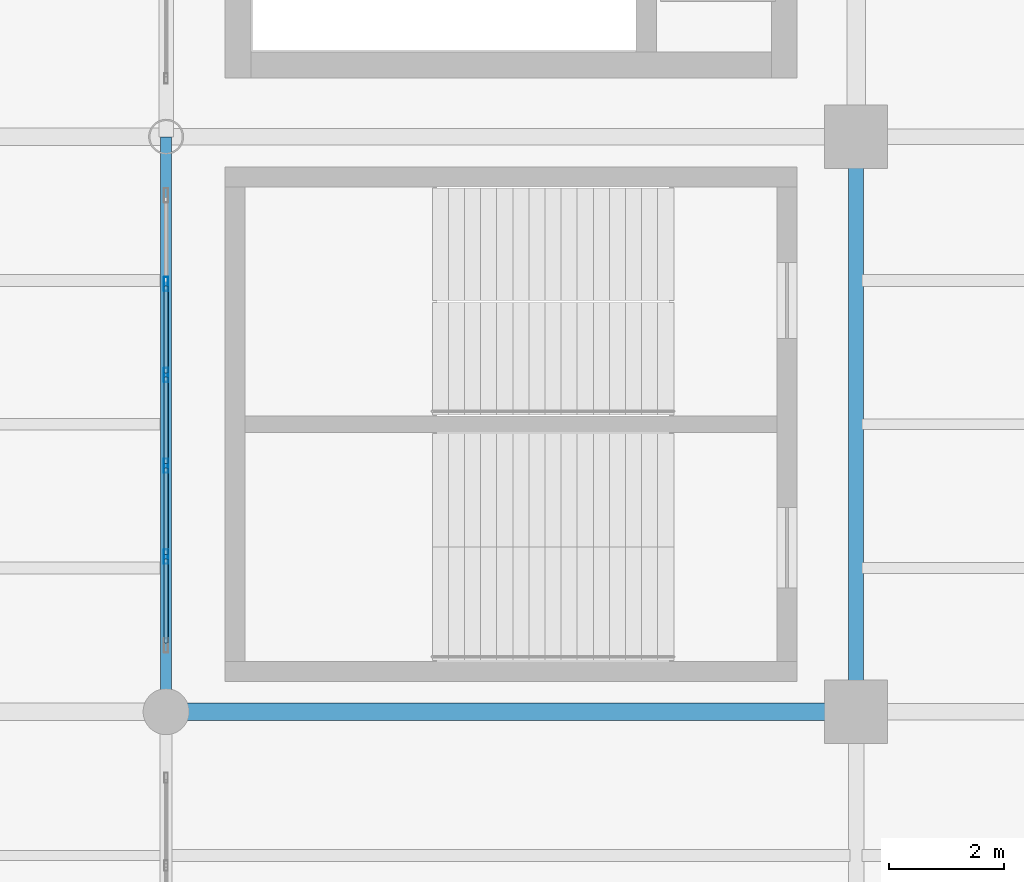
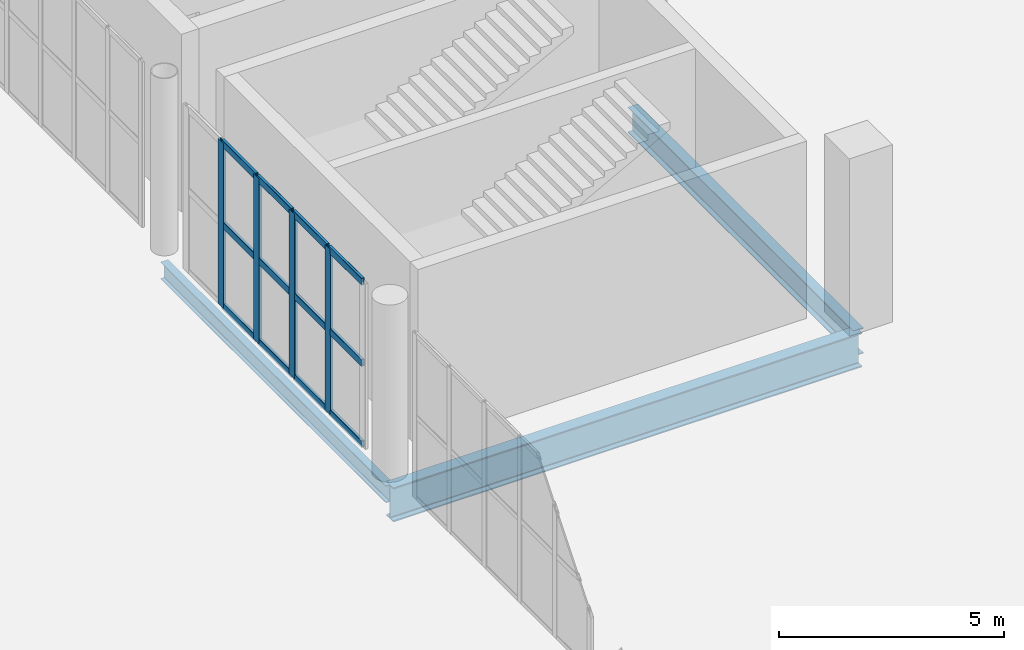
# One storey, part 46 of 136: 16 members, 3 beams, 1 element without a shape of its own.
"""IFC4 building model written with IfcOpenShell, lengths in metres."""

from ifc_helpers import new_model, si_unit, direction, frame, origin, origin_2d, place, context, subcontext, project, spatial, hollow_rectangle, i_section, extrude, material, layer, layer_set, material_profile, profile_set, type_object, element, aggregate, save


model = new_model("IFC4")

# Units and contexts
model_context = context("Model", 3, precision=1e-05, world=origin(), true_north=direction((0.0, 1.0)))
body_context = subcontext(model_context, "Body", "Model", "MODEL_VIEW")
ifc_project = project(units=[si_unit("LENGTHUNIT", "METRE"), si_unit("AREAUNIT", "SQUARE_METRE"), si_unit("VOLUMEUNIT", "CUBIC_METRE"), si_unit("PLANEANGLEUNIT", "RADIAN"), si_unit("MASSUNIT", "GRAM", prefix="KILO")], contexts=[model_context])

# Site, building, storey
site_placement = place(None, origin())
site = spatial("IfcSite", under=ifc_project, at=site_placement, CompositionType="ELEMENT")
building_placement = place(site_placement, origin())
building = spatial("IfcBuilding", under=site, at=building_placement, Name="Brinegate Civic Arena", CompositionType="ELEMENT")
storey_placement = place(building_placement, frame((0.0, 0.0, 5.39990234375)))
storey = spatial("IfcBuildingStorey", under=building, at=storey_placement, Name="L01", CompositionType="ELEMENT", Elevation=5.39990234375)

# Curtain wall, members
ifc_material_1 = material(Name="Marine grade aluminium", Category="aluminium")
ifc_layer = layer(ifc_material_1, 0.199951171875, Name="Marine grade aluminium")
ifc_layer_set = layer_set([ifc_layer], Name="Marine grade aluminium")
curtain_wall_type = type_object("IfcCurtainWallType", Name="CW-BOWL-GLAZED-01", PredefinedType="USERDEFINED", material=ifc_layer_set)
curtain_wall_placement = place(storey_placement, origin())
curtain_wall = element("IfcCurtainWall", 1, at=curtain_wall_placement, inside=storey, type_object=curtain_wall_type, Name="Curtain Wall CWA-056", ObjectType="GLAZED CURTAIN WALL", PredefinedType="USERDEFINED")
ifc_material_profile_1 = material_profile(ifc_material_1, hollow_rectangle(XDim=0.074951171875, YDim=0.25, WallThickness=0.006103515625, InnerFilletRadius=0.00390625, OuterFilletRadius=0.008056640625, at=origin_2d()), Name="MUL75X250")
ifc_profile_set_1 = profile_set([ifc_material_profile_1], Name="Marine grade aluminium")
member_type_1 = type_object("IfcMemberType", Name="CW-MULLION-75X250", PredefinedType="MULLION", material=ifc_profile_set_1)
member_1_placement = place(storey_placement, frame((48.0, 74.696533203125, 0.0), z_axis=(0.0, 0.0, 1.0), x_axis=(-1.0, 0.0, 0.0)))
member_1 = element("IfcMember", 2, at=member_1_placement, type_object=member_type_1, Name="CWA-056 mullion 2", PredefinedType="MULLION", context=body_context, shape_type="SweptSolid", body=[
    extrude(hollow_rectangle(XDim=0.074951171875, YDim=0.25, WallThickness=0.006103515625, InnerFilletRadius=0.00390625, OuterFilletRadius=0.008056640625, at=origin_2d()), origin(), (0.0, 0.0, 1.0), 4.47021484375),
])
member_2_placement = place(storey_placement, frame((48.0, 76.277099609375, 0.0), z_axis=(0.0, 0.0, 1.0), x_axis=(-1.0, 0.0, 0.0)))
member_2 = element("IfcMember", 3, at=member_2_placement, type_object=member_type_1, Name="CWA-056 mullion 3", PredefinedType="MULLION", context=body_context, shape_type="SweptSolid", body=[
    extrude(hollow_rectangle(XDim=0.074951171875, YDim=0.25, WallThickness=0.006103515625, InnerFilletRadius=0.00390625, OuterFilletRadius=0.008056640625, at=origin_2d()), origin(), (0.0, 0.0, 1.0), 4.47021484375),
])
member_3_placement = place(storey_placement, frame((48.0, 77.85791015625, 0.0), z_axis=(0.0, 0.0, 1.0), x_axis=(-1.0, 0.0, 0.0)))
member_3 = element("IfcMember", 4, at=member_3_placement, type_object=member_type_1, Name="CWA-056 mullion 4", PredefinedType="MULLION", context=body_context, shape_type="SweptSolid", body=[
    extrude(hollow_rectangle(XDim=0.074951171875, YDim=0.25, WallThickness=0.006103515625, InnerFilletRadius=0.00390625, OuterFilletRadius=0.008056640625, at=origin_2d()), origin(), (0.0, 0.0, 1.0), 4.47021484375),
])
member_4_placement = place(storey_placement, frame((48.0, 79.4384765625, 0.0), z_axis=(0.0, 0.0, 1.0), x_axis=(-1.0, 0.0, 0.0)))
member_4 = element("IfcMember", 5, at=member_4_placement, type_object=member_type_1, Name="CWA-056 mullion 5", PredefinedType="MULLION", context=body_context, shape_type="SweptSolid", body=[
    extrude(hollow_rectangle(XDim=0.074951171875, YDim=0.25, WallThickness=0.006103515625, InnerFilletRadius=0.00390625, OuterFilletRadius=0.008056640625, at=origin_2d()), origin(), (0.0, 0.0, 1.0), 4.47021484375),
])
ifc_material_profile_2 = material_profile(ifc_material_1, hollow_rectangle(XDim=0.074951171875, YDim=0.18994140625, WallThickness=0.006103515625, InnerFilletRadius=0.00390625, OuterFilletRadius=0.008056640625, at=origin_2d()), Name="TRN75X190")
ifc_profile_set_2 = profile_set([ifc_material_profile_2], Name="Marine grade aluminium")
member_type_2 = type_object("IfcMemberType", Name="CW-TRANSOM-75X190", PredefinedType="USERDEFINED", material=ifc_profile_set_2)
member_5_placement = place(storey_placement, frame((48.0, 73.19091796875, 0.03759765625), z_axis=(0.0, 1.0, 0.0), x_axis=(-1.0, 0.0, 0.0)))
member_5 = element("IfcMember", 6, at=member_5_placement, type_object=member_type_2, Name="CWA-056 transom 1.1", ObjectType="TRANSOM", PredefinedType="USERDEFINED", context=body_context, shape_type="SweptSolid", body=[
    extrude(hollow_rectangle(XDim=0.074951171875, YDim=0.18994140625, WallThickness=0.006103515625, InnerFilletRadius=0.00390625, OuterFilletRadius=0.008056640625, at=origin_2d()), origin(), (0.0, 0.0, 1.0), 1.46826171875),
])
member_6_placement = place(storey_placement, frame((48.0, 73.19091796875, 2.235107421875), z_axis=(0.0, 1.0, 0.0), x_axis=(-1.0, 0.0, 0.0)))
member_6 = element("IfcMember", 7, at=member_6_placement, type_object=member_type_2, Name="CWA-056 transom 1.2", ObjectType="TRANSOM", PredefinedType="USERDEFINED", context=body_context, shape_type="SweptSolid", body=[
    extrude(hollow_rectangle(XDim=0.074951171875, YDim=0.18994140625, WallThickness=0.006103515625, InnerFilletRadius=0.00390625, OuterFilletRadius=0.008056640625, at=origin_2d()), origin(), (0.0, 0.0, 1.0), 1.46826171875),
])
member_7_placement = place(storey_placement, frame((48.0, 73.19091796875, 4.4326171875), z_axis=(0.0, 1.0, 0.0), x_axis=(-1.0, 0.0, 0.0)))
member_7 = element("IfcMember", 8, at=member_7_placement, type_object=member_type_2, Name="CWA-056 transom 1.3", ObjectType="TRANSOM", PredefinedType="USERDEFINED", context=body_context, shape_type="SweptSolid", body=[
    extrude(hollow_rectangle(XDim=0.074951171875, YDim=0.18994140625, WallThickness=0.006103515625, InnerFilletRadius=0.00390625, OuterFilletRadius=0.008056640625, at=origin_2d()), origin(), (0.0, 0.0, 1.0), 1.46826171875),
])
member_8_placement = place(storey_placement, frame((48.0, 74.734130859375, 0.03759765625), z_axis=(0.0, 1.0, 0.0), x_axis=(-1.0, 0.0, 0.0)))
member_8 = element("IfcMember", 9, at=member_8_placement, type_object=member_type_2, Name="CWA-056 transom 2.1", ObjectType="TRANSOM", PredefinedType="USERDEFINED", context=body_context, shape_type="SweptSolid", body=[
    extrude(hollow_rectangle(XDim=0.074951171875, YDim=0.18994140625, WallThickness=0.006103515625, InnerFilletRadius=0.00390625, OuterFilletRadius=0.008056640625, at=origin_2d()), origin(), (0.0, 0.0, 1.0), 1.505615234375),
])
member_9_placement = place(storey_placement, frame((48.0, 74.734130859375, 2.235107421875), z_axis=(0.0, 1.0, 0.0), x_axis=(-1.0, 0.0, 0.0)))
member_9 = element("IfcMember", 10, at=member_9_placement, type_object=member_type_2, Name="CWA-056 transom 2.2", ObjectType="TRANSOM", PredefinedType="USERDEFINED", context=body_context, shape_type="SweptSolid", body=[
    extrude(hollow_rectangle(XDim=0.074951171875, YDim=0.18994140625, WallThickness=0.006103515625, InnerFilletRadius=0.00390625, OuterFilletRadius=0.008056640625, at=origin_2d()), origin(), (0.0, 0.0, 1.0), 1.505615234375),
])
member_10_placement = place(storey_placement, frame((48.0, 74.734130859375, 4.4326171875), z_axis=(0.0, 1.0, 0.0), x_axis=(-1.0, 0.0, 0.0)))
member_10 = element("IfcMember", 11, at=member_10_placement, type_object=member_type_2, Name="CWA-056 transom 2.3", ObjectType="TRANSOM", PredefinedType="USERDEFINED", context=body_context, shape_type="SweptSolid", body=[
    extrude(hollow_rectangle(XDim=0.074951171875, YDim=0.18994140625, WallThickness=0.006103515625, InnerFilletRadius=0.00390625, OuterFilletRadius=0.008056640625, at=origin_2d()), origin(), (0.0, 0.0, 1.0), 1.505615234375),
])
member_11_placement = place(storey_placement, frame((48.0, 76.314697265625, 0.03759765625), z_axis=(0.0, 1.0, 0.0), x_axis=(-1.0, 0.0, 0.0)))
member_11 = element("IfcMember", 12, at=member_11_placement, type_object=member_type_2, Name="CWA-056 transom 3.1", ObjectType="TRANSOM", PredefinedType="USERDEFINED", context=body_context, shape_type="SweptSolid", body=[
    extrude(hollow_rectangle(XDim=0.074951171875, YDim=0.18994140625, WallThickness=0.006103515625, InnerFilletRadius=0.00390625, OuterFilletRadius=0.008056640625, at=origin_2d()), origin(), (0.0, 0.0, 1.0), 1.505615234375),
])
member_12_placement = place(storey_placement, frame((48.0, 76.314697265625, 2.235107421875), z_axis=(0.0, 1.0, 0.0), x_axis=(-1.0, 0.0, 0.0)))
member_12 = element("IfcMember", 13, at=member_12_placement, type_object=member_type_2, Name="CWA-056 transom 3.2", ObjectType="TRANSOM", PredefinedType="USERDEFINED", context=body_context, shape_type="SweptSolid", body=[
    extrude(hollow_rectangle(XDim=0.074951171875, YDim=0.18994140625, WallThickness=0.006103515625, InnerFilletRadius=0.00390625, OuterFilletRadius=0.008056640625, at=origin_2d()), origin(), (0.0, 0.0, 1.0), 1.505615234375),
])
member_13_placement = place(storey_placement, frame((48.0, 76.314697265625, 4.4326171875), z_axis=(0.0, 1.0, 0.0), x_axis=(-1.0, 0.0, 0.0)))
member_13 = element("IfcMember", 14, at=member_13_placement, type_object=member_type_2, Name="CWA-056 transom 3.3", ObjectType="TRANSOM", PredefinedType="USERDEFINED", context=body_context, shape_type="SweptSolid", body=[
    extrude(hollow_rectangle(XDim=0.074951171875, YDim=0.18994140625, WallThickness=0.006103515625, InnerFilletRadius=0.00390625, OuterFilletRadius=0.008056640625, at=origin_2d()), origin(), (0.0, 0.0, 1.0), 1.505615234375),
])
member_14_placement = place(storey_placement, frame((48.0, 77.895263671875, 0.03759765625), z_axis=(0.0, 1.0, 0.0), x_axis=(-1.0, 0.0, 0.0)))
member_14 = element("IfcMember", 15, at=member_14_placement, type_object=member_type_2, Name="CWA-056 transom 4.1", ObjectType="TRANSOM", PredefinedType="USERDEFINED", context=body_context, shape_type="SweptSolid", body=[
    extrude(hollow_rectangle(XDim=0.074951171875, YDim=0.18994140625, WallThickness=0.006103515625, InnerFilletRadius=0.00390625, OuterFilletRadius=0.008056640625, at=origin_2d()), origin(), (0.0, 0.0, 1.0), 1.505615234375),
])
member_15_placement = place(storey_placement, frame((48.0, 77.895263671875, 2.235107421875), z_axis=(0.0, 1.0, 0.0), x_axis=(-1.0, 0.0, 0.0)))
member_15 = element("IfcMember", 16, at=member_15_placement, type_object=member_type_2, Name="CWA-056 transom 4.2", ObjectType="TRANSOM", PredefinedType="USERDEFINED", context=body_context, shape_type="SweptSolid", body=[
    extrude(hollow_rectangle(XDim=0.074951171875, YDim=0.18994140625, WallThickness=0.006103515625, InnerFilletRadius=0.00390625, OuterFilletRadius=0.008056640625, at=origin_2d()), origin(), (0.0, 0.0, 1.0), 1.505615234375),
])
member_16_placement = place(storey_placement, frame((48.0, 77.895263671875, 4.4326171875), z_axis=(0.0, 1.0, 0.0), x_axis=(-1.0, 0.0, 0.0)))
member_16 = element("IfcMember", 17, at=member_16_placement, type_object=member_type_2, Name="CWA-056 transom 4.3", ObjectType="TRANSOM", PredefinedType="USERDEFINED", context=body_context, shape_type="SweptSolid", body=[
    extrude(hollow_rectangle(XDim=0.074951171875, YDim=0.18994140625, WallThickness=0.006103515625, InnerFilletRadius=0.00390625, OuterFilletRadius=0.008056640625, at=origin_2d()), origin(), (0.0, 0.0, 1.0), 1.505615234375),
])
aggregate(curtain_wall, [member_1, member_2, member_3, member_4, member_5, member_6, member_7, member_8, member_9, member_10, member_11, member_12, member_13, member_14, member_15, member_16])

# Beams
ifc_material_2 = material(Name="Steel S355", Category="steel")
ifc_material_profile_3 = material_profile(ifc_material_2, i_section(OverallWidth=0.256103515625, OverallDepth=0.693115234375, WebThickness=0.014892578125, FlangeThickness=0.02392578125, FilletRadius=0.01806640625, at=origin_2d()), Name="W690X170")
ifc_profile_set_3 = profile_set([ifc_material_profile_3], Name="Steel S355")
beam_type_1 = type_object("IfcBeamType", Name="GIRDER-W690X170", PredefinedType="BEAM", material=ifc_profile_set_3)
beam_1_placement = place(storey_placement, frame((60.0, 72.0, -0.685791015625), z_axis=(0.0, 1.0, 0.0), x_axis=(-1.0, 0.0, 0.0)))
element("IfcBeam", 18, at=beam_1_placement, inside=storey, type_object=beam_type_1, Name="Floor Girder BM-L01-GY-05-07", PredefinedType="BEAM", context=body_context, shape_type="SweptSolid", body=[
    extrude(i_section(OverallWidth=0.256103515625, OverallDepth=0.693115234375, WebThickness=0.014892578125, FlangeThickness=0.02392578125, FilletRadius=0.01806640625, at=origin_2d()), origin(), (0.0, 0.0, 1.0), 10.0),
])
ifc_material_profile_4 = material_profile(ifc_material_2, i_section(OverallWidth=0.30810546875, OverallDepth=0.927001953125, WebThickness=0.01904296875, FlangeThickness=0.031982421875, FilletRadius=0.02392578125, at=origin_2d()), Name="W920X289")
ifc_profile_set_4 = profile_set([ifc_material_profile_4], Name="Steel S355")
beam_type_2 = type_object("IfcBeamType", Name="GIRDER-W920X289", PredefinedType="BEAM", material=ifc_profile_set_4)
beam_2_placement = place(storey_placement, frame((48.0, 72.0, -0.802978515625), z_axis=(1.0, 0.0, 0.0), x_axis=(0.0, 1.0, 0.0)))
element("IfcBeam", 19, at=beam_2_placement, inside=storey, type_object=beam_type_2, Name="Floor Girder BM-L01-GX-04-07", PredefinedType="BEAM", context=body_context, shape_type="SweptSolid", body=[
    extrude(i_section(OverallWidth=0.30810546875, OverallDepth=0.927001953125, WebThickness=0.01904296875, FlangeThickness=0.031982421875, FilletRadius=0.02392578125, at=origin_2d()), origin(), (0.0, 0.0, 1.0), 12.0),
])
ifc_material_profile_5 = material_profile(ifc_material_2, i_section(OverallWidth=0.193115234375, OverallDepth=0.466064453125, WebThickness=0.010986328125, FlangeThickness=0.01904296875, FilletRadius=0.014892578125, at=origin_2d()), Name="W460X97")
ifc_profile_set_5 = profile_set([ifc_material_profile_5], Name="Steel S355")
beam_type_3 = type_object("IfcBeamType", Name="SPANDREL-W460X97", PredefinedType="SPANDREL", material=ifc_profile_set_5)
beam_3_placement = place(storey_placement, frame((48.0, 72.0, -0.572998046875), z_axis=(0.0, 1.0, 0.0), x_axis=(-1.0, 0.0, 0.0)))
element("IfcBeam", 20, at=beam_3_placement, inside=storey, type_object=beam_type_3, Name="Floor Girder BM-L01-GY-04-07", PredefinedType="SPANDREL", context=body_context, shape_type="SweptSolid", body=[
    extrude(i_section(OverallWidth=0.193115234375, OverallDepth=0.466064453125, WebThickness=0.010986328125, FlangeThickness=0.01904296875, FilletRadius=0.014892578125, at=origin_2d()), origin(), (0.0, 0.0, 1.0), 10.0),
])

save(model, "model.ifc")
